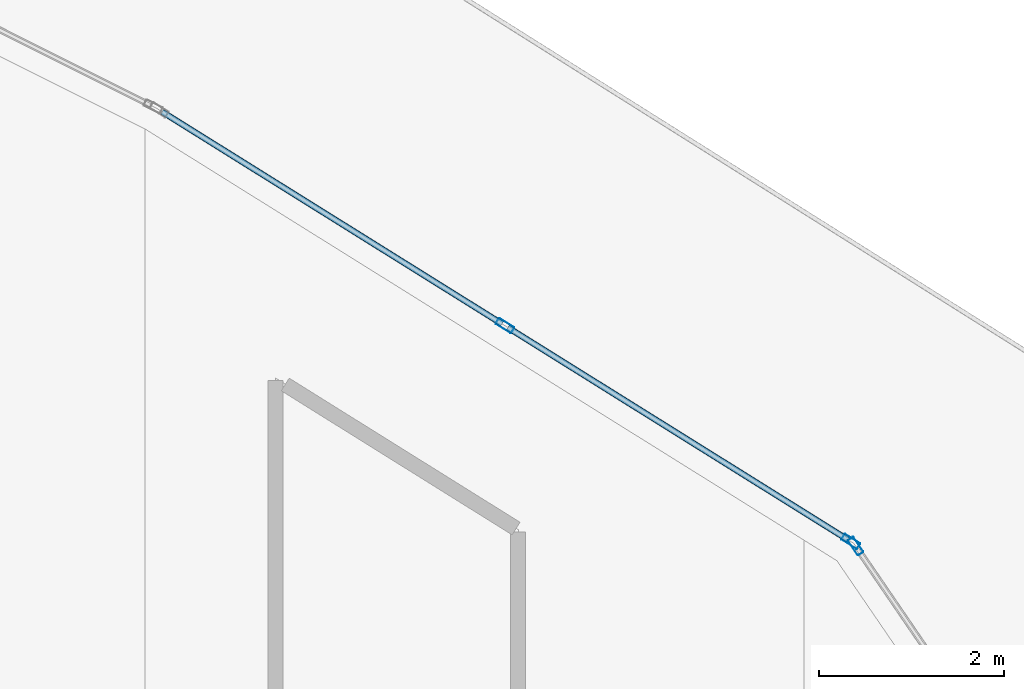
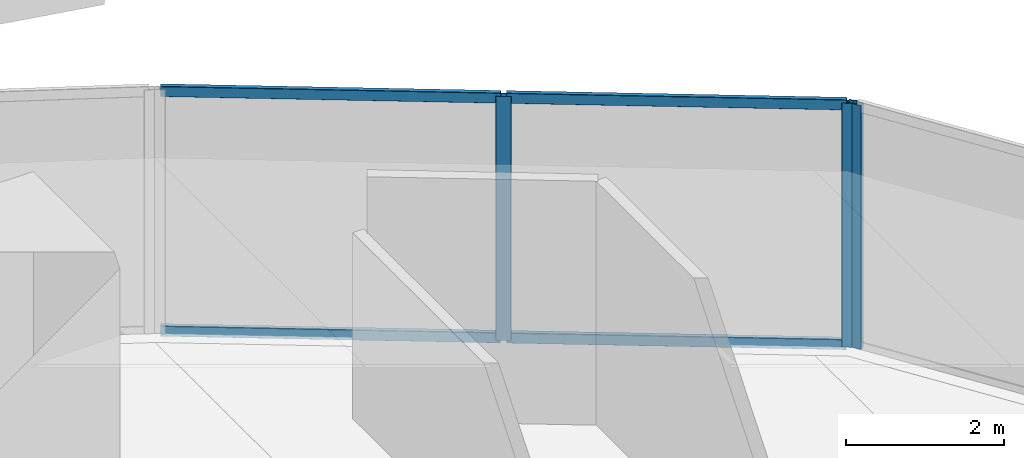
# One storey, part 27 of 43: 7 members, 2 elements without a shape of their own.
"""IFC4 building model written with IfcOpenShell, lengths in metres."""

from ifc_helpers import new_model, si_unit, direction, frame, origin, origin_2d, place, context, subcontext, project, spatial, hollow_rectangle, extrude, material, layer, layer_set, material_profile, profile_set, type_object, element, aggregate, save


model = new_model("IFC4")

# Units and contexts
model_context = context("Model", 3, precision=1e-05, world=origin(), true_north=direction((0.0, 1.0)))
body_context = subcontext(model_context, "Body", "Model", "MODEL_VIEW")
ifc_project = project(units=[si_unit("LENGTHUNIT", "METRE"), si_unit("AREAUNIT", "SQUARE_METRE"), si_unit("VOLUMEUNIT", "CUBIC_METRE"), si_unit("PLANEANGLEUNIT", "RADIAN"), si_unit("MASSUNIT", "GRAM", prefix="KILO")], contexts=[model_context])

# Site, building, storey
site_placement = place(None, origin())
site = spatial("IfcSite", under=ifc_project, at=site_placement, CompositionType="ELEMENT")
building_placement = place(site_placement, origin())
building = spatial("IfcBuilding", under=site, at=building_placement, Name="Qorvath Tower", CompositionType="ELEMENT")
storey_placement = place(building_placement, frame((0.0, 0.0, 150.300048828125)))
storey = spatial("IfcBuildingStorey", under=building, at=storey_placement, Name="L34", CompositionType="ELEMENT", Elevation=150.300048828125)

# Curtain wall, member
ifc_material_1 = material(Name="Anodised aluminium and triple low-E glass", Category="aluminium")
ifc_layer = layer(ifc_material_1, 0.179931640625)
ifc_layer_set = layer_set([ifc_layer], Name="CW-SYS-5")
curtain_wall_type = type_object("IfcCurtainWallType", Name="CW-SYS-5", PredefinedType="NOTDEFINED", material=ifc_layer_set)
curtain_wall_1_placement = place(storey_placement, origin())
curtain_wall_1 = element("IfcCurtainWall", 1, at=curtain_wall_1_placement, inside=storey, type_object=curtain_wall_type, Name="Curtain Wall CW-5 CW-T-L34-13.1", PredefinedType="NOTDEFINED")
ifc_material_2 = material(Name="Anodised aluminium 6063-T6", Category="aluminium")
ifc_material_profile_1 = material_profile(ifc_material_2, hollow_rectangle(XDim=0.074951171875, YDim=0.199951171875, WallThickness=0.00390625, InnerFilletRadius=0.00390625, OuterFilletRadius=0.008056640625, at=origin_2d()), Name="CWM 200x75")
ifc_profile_set_1 = profile_set([ifc_material_profile_1], Name="Anodised aluminium 6063-T6")
member_type_1 = type_object("IfcMemberType", Name="CWM-200", PredefinedType="MULLION", material=ifc_profile_set_1)
member_1_placement = place(storey_placement, frame((-4.35205078125, 22.786376953125, 0.0), z_axis=(0.0, 0.0, 1.0), x_axis=(-0.825580649528, -0.564284140416, 0.0)))
member_1 = element("IfcMember", 2, at=member_1_placement, type_object=member_type_1, Name="CW-5 mullion 2", PredefinedType="MULLION", context=body_context, shape_type="SweptSolid", body=[
    extrude(hollow_rectangle(XDim=0.074951171875, YDim=0.199951171875, WallThickness=0.00390625, InnerFilletRadius=0.00390625, OuterFilletRadius=0.008056640625, at=origin_2d()), origin(), (0.0, 0.0, 1.0), 3.780029296875),
])
aggregate(curtain_wall_1, [member_1])

# Curtain wall, members
curtain_wall_2_placement = place(storey_placement, origin())
curtain_wall_2 = element("IfcCurtainWall", 3, at=curtain_wall_2_placement, inside=storey, type_object=curtain_wall_type, Name="Curtain Wall CW-5 CW-T-L34-14.1", PredefinedType="NOTDEFINED")
member_2_placement = place(storey_placement, frame((-4.405029296875, 22.837158203125, 0.0), z_axis=(0.0, 0.0, 1.0), x_axis=(-0.529393344809, -0.848376500424, 0.0)))
member_2 = element("IfcMember", 4, at=member_2_placement, type_object=member_type_1, Name="CW-5 mullion 1", PredefinedType="MULLION", context=body_context, shape_type="SweptSolid", body=[
    extrude(hollow_rectangle(XDim=0.074951171875, YDim=0.199951171875, WallThickness=0.00390625, InnerFilletRadius=0.00390625, OuterFilletRadius=0.008056640625, at=origin_2d()), origin(), (0.0, 0.0, 1.0), 3.780029296875),
])
member_3_placement = place(storey_placement, frame((-8.133056640625, 25.163330078125, 0.0), z_axis=(0.0, 0.0, 1.0), x_axis=(-0.529393344809, -0.848376500424, 0.0)))
member_3 = element("IfcMember", 5, at=member_3_placement, type_object=member_type_1, Name="CW-5 mullion 2", PredefinedType="MULLION", context=body_context, shape_type="SweptSolid", body=[
    extrude(hollow_rectangle(XDim=0.074951171875, YDim=0.199951171875, WallThickness=0.00390625, InnerFilletRadius=0.00390625, OuterFilletRadius=0.008056640625, at=origin_2d()), origin(), (0.0, 0.0, 1.0), 3.780029296875),
])
ifc_material_3 = material(Name="Anodised aluminium 6063-T6", Category="aluminium")
ifc_material_profile_2 = material_profile(ifc_material_3, hollow_rectangle(XDim=0.06494140625, YDim=0.159912109375, WallThickness=0.00341796875, InnerFilletRadius=0.00341796875, OuterFilletRadius=0.007080078125, at=origin_2d()), Name="CWT 160x65")
ifc_profile_set_2 = profile_set([ifc_material_profile_2], Name="Anodised aluminium 6063-T6")
member_type_2 = type_object("IfcMemberType", Name="CWT-160", PredefinedType="USERDEFINED", material=ifc_profile_set_2)
member_4_placement = place(storey_placement, frame((-4.43701171875, 22.857177734375, 0.032470703125), z_axis=(-0.848379175552, 0.529389057772, 0.0), x_axis=(-0.529389057772, -0.848379175552, 0.0)))
member_4 = element("IfcMember", 6, at=member_4_placement, type_object=member_type_2, Name="CW-5 transom 1.1", ObjectType="TRANSOM", PredefinedType="USERDEFINED", context=body_context, shape_type="SweptSolid", body=[
    extrude(hollow_rectangle(XDim=0.06494140625, YDim=0.159912109375, WallThickness=0.00341796875, InnerFilletRadius=0.00341796875, OuterFilletRadius=0.007080078125, at=origin_2d()), origin(), (0.0, 0.0, 1.0), 4.31884765625),
])
member_5_placement = place(storey_placement, frame((-4.43701171875, 22.857177734375, 3.74755859375), z_axis=(-0.848379175552, 0.529389057772, 0.0), x_axis=(-0.529389057772, -0.848379175552, 0.0)))
member_5 = element("IfcMember", 7, at=member_5_placement, type_object=member_type_2, Name="CW-5 transom 1.2", ObjectType="TRANSOM", PredefinedType="USERDEFINED", context=body_context, shape_type="SweptSolid", body=[
    extrude(hollow_rectangle(XDim=0.06494140625, YDim=0.159912109375, WallThickness=0.00341796875, InnerFilletRadius=0.00341796875, OuterFilletRadius=0.007080078125, at=origin_2d()), origin(), (0.0, 0.0, 1.0), 4.31884765625),
])
member_6_placement = place(storey_placement, frame((-8.164794921875, 25.183349609375, 0.032470703125), z_axis=(-0.848379175552, 0.529389057772, 0.0), x_axis=(-0.529389057772, -0.848379175552, 0.0)))
member_6 = element("IfcMember", 8, at=member_6_placement, type_object=member_type_2, Name="CW-5 transom 2.1", ObjectType="TRANSOM", PredefinedType="USERDEFINED", context=body_context, shape_type="SweptSolid", body=[
    extrude(hollow_rectangle(XDim=0.06494140625, YDim=0.159912109375, WallThickness=0.00341796875, InnerFilletRadius=0.00341796875, OuterFilletRadius=0.007080078125, at=origin_2d()), origin(), (0.0, 0.0, 1.0), 4.31884765625),
])
member_7_placement = place(storey_placement, frame((-8.164794921875, 25.183349609375, 3.74755859375), z_axis=(-0.848379175552, 0.529389057772, 0.0), x_axis=(-0.529389057772, -0.848379175552, 0.0)))
member_7 = element("IfcMember", 9, at=member_7_placement, type_object=member_type_2, Name="CW-5 transom 2.2", ObjectType="TRANSOM", PredefinedType="USERDEFINED", context=body_context, shape_type="SweptSolid", body=[
    extrude(hollow_rectangle(XDim=0.06494140625, YDim=0.159912109375, WallThickness=0.00341796875, InnerFilletRadius=0.00341796875, OuterFilletRadius=0.007080078125, at=origin_2d()), origin(), (0.0, 0.0, 1.0), 4.31884765625),
])
aggregate(curtain_wall_2, [member_2, member_3, member_4, member_5, member_6, member_7])

save(model, "model.ifc")
